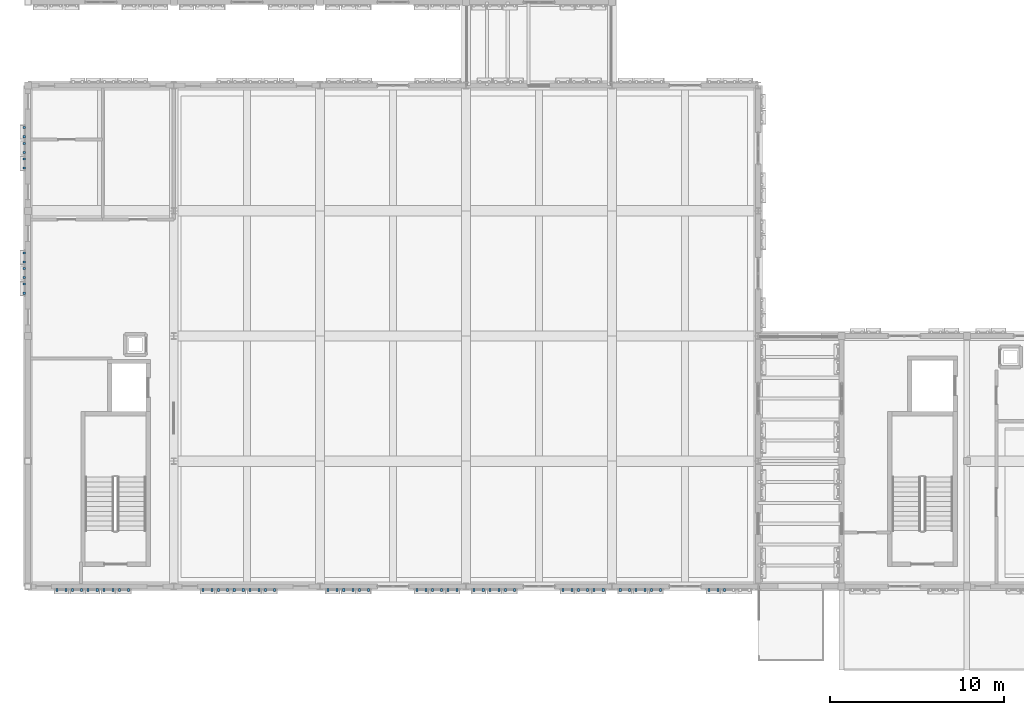
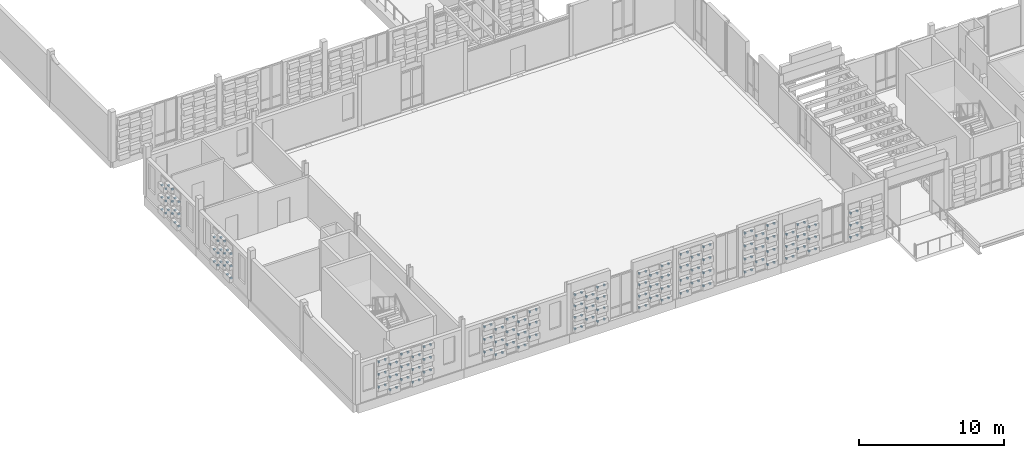
# One storey, part 78 of 99: 209 discrete accessories.
"""IFC4 building model written with IfcOpenShell, lengths in metres."""

from ifc_helpers import new_model, si_unit, direction, frame, origin, origin_2d, place, context, subcontext, project, spatial, rectangle, extrude, material, type_object, element, save


model = new_model("IFC4")

# Units and contexts
model_context = context("Model", 3, precision=1e-05, world=origin(), true_north=direction((0.0, 1.0)))
body_context = subcontext(model_context, "Body", "Model", "MODEL_VIEW")
ifc_project = project(units=[si_unit("LENGTHUNIT", "METRE"), si_unit("AREAUNIT", "SQUARE_METRE"), si_unit("VOLUMEUNIT", "CUBIC_METRE"), si_unit("PLANEANGLEUNIT", "RADIAN"), si_unit("MASSUNIT", "GRAM", prefix="KILO")], contexts=[model_context])

# Site, building, storey
site_placement = place(None, origin())
site = spatial("IfcSite", under=ifc_project, at=site_placement, CompositionType="ELEMENT")
building_placement = place(site_placement, origin())
building = spatial("IfcBuilding", under=site, at=building_placement, Name="Kahlenmark Community Centre", CompositionType="ELEMENT")
storey_placement = place(building_placement, frame((0.0, 0.0, 5.39990234375)))
storey = spatial("IfcBuildingStorey", under=building, at=storey_placement, Name="L01", CompositionType="ELEMENT", Elevation=5.39990234375)

# Discrete accessories
ifc_material = material(Name="Stainless steel 1.4401 rainscreen bracket", Category="steel")
discrete_accessory_type = type_object("IfcDiscreteAccessoryType", Name="DAT-BRACKET-TC", PredefinedType="BRACKET", material=ifc_material)
for number, where, z_axis, x_axis, name in (
    (1, (5.669921875, 8.590087890625, 0.818115234375), (0.0, 0.0, 1.0), (1.0, 0.0, 0.0), "Terracotta cassette bracket 0002.1"),
    (2, (6.18994140625, 8.590087890625, 0.818115234375), (0.0, 0.0, 1.0), (1.0, 0.0, 0.0), "Terracotta cassette bracket 0002.2"),
    (3, (5.669921875, 8.590087890625, 1.882080078125), (0.0, 0.0, 1.0), (1.0, 0.0, 0.0), "Terracotta cassette bracket 0004.1"),
    (4, (6.18994140625, 8.590087890625, 1.882080078125), (0.0, 0.0, 1.0), (1.0, 0.0, 0.0), "Terracotta cassette bracket 0004.2"),
    (5, (5.669921875, 8.590087890625, 2.946044921875), (0.0, 0.0, 1.0), (1.0, 0.0, 0.0), "Terracotta cassette bracket 0006.1"),
    (6, (6.18994140625, 8.590087890625, 2.946044921875), (0.0, 0.0, 1.0), (1.0, 0.0, 0.0), "Terracotta cassette bracket 0006.2"),
    (7, (6.570068359375, 8.590087890625, 0.2861328125), (0.0, 0.0, 1.0), (1.0, 0.0, 0.0), "Terracotta cassette bracket 0007.1"),
    (8, (7.090087890625, 8.590087890625, 0.2861328125), (0.0, 0.0, 1.0), (1.0, 0.0, 0.0), "Terracotta cassette bracket 0007.2"),
    (9, (6.570068359375, 8.590087890625, 1.35009765625), (0.0, 0.0, 1.0), (1.0, 0.0, 0.0), "Terracotta cassette bracket 0009.1"),
    (10, (7.090087890625, 8.590087890625, 1.35009765625), (0.0, 0.0, 1.0), (1.0, 0.0, 0.0), "Terracotta cassette bracket 0009.2"),
    (11, (6.570068359375, 8.590087890625, 2.4140625), (0.0, 0.0, 1.0), (1.0, 0.0, 0.0), "Terracotta cassette bracket 0011.1"),
    (12, (7.090087890625, 8.590087890625, 2.4140625), (0.0, 0.0, 1.0), (1.0, 0.0, 0.0), "Terracotta cassette bracket 0011.2"),
    (13, (7.469970703125, 8.590087890625, 0.818115234375), (0.0, 0.0, 1.0), (1.0, 0.0, 0.0), "Terracotta cassette bracket 0014.1"),
    (14, (7.989990234375, 8.590087890625, 0.818115234375), (0.0, 0.0, 1.0), (1.0, 0.0, 0.0), "Terracotta cassette bracket 0014.2"),
    (15, (7.469970703125, 8.590087890625, 1.882080078125), (0.0, 0.0, 1.0), (1.0, 0.0, 0.0), "Terracotta cassette bracket 0016.1"),
    (16, (7.989990234375, 8.590087890625, 1.882080078125), (0.0, 0.0, 1.0), (1.0, 0.0, 0.0), "Terracotta cassette bracket 0016.2"),
    (17, (7.469970703125, 8.590087890625, 2.946044921875), (0.0, 0.0, 1.0), (1.0, 0.0, 0.0), "Terracotta cassette bracket 0018.1"),
    (18, (7.989990234375, 8.590087890625, 2.946044921875), (0.0, 0.0, 1.0), (1.0, 0.0, 0.0), "Terracotta cassette bracket 0018.2"),
    (19, (8.3701171875, 8.590087890625, 0.2861328125), (0.0, 0.0, 1.0), (1.0, 0.0, 0.0), "Terracotta cassette bracket 0019.1"),
    (20, (8.889892578125, 8.590087890625, 0.2861328125), (0.0, 0.0, 1.0), (1.0, 0.0, 0.0), "Terracotta cassette bracket 0019.2"),
    (21, (8.3701171875, 8.590087890625, 1.35009765625), (0.0, 0.0, 1.0), (1.0, 0.0, 0.0), "Terracotta cassette bracket 0021.1"),
    (22, (8.889892578125, 8.590087890625, 1.35009765625), (0.0, 0.0, 1.0), (1.0, 0.0, 0.0), "Terracotta cassette bracket 0021.2"),
    (23, (8.3701171875, 8.590087890625, 2.4140625), (0.0, 0.0, 1.0), (1.0, 0.0, 0.0), "Terracotta cassette bracket 0023.1"),
    (24, (8.889892578125, 8.590087890625, 2.4140625), (0.0, 0.0, 1.0), (1.0, 0.0, 0.0), "Terracotta cassette bracket 0023.2"),
    (25, (9.27001953125, 8.590087890625, 0.818115234375), (0.0, 0.0, 1.0), (1.0, 0.0, 0.0), "Terracotta cassette bracket 0026.1"),
    (26, (9.7900390625, 8.590087890625, 0.818115234375), (0.0, 0.0, 1.0), (1.0, 0.0, 0.0), "Terracotta cassette bracket 0026.2"),
    (27, (9.27001953125, 8.590087890625, 1.882080078125), (0.0, 0.0, 1.0), (1.0, 0.0, 0.0), "Terracotta cassette bracket 0028.1"),
    (28, (9.7900390625, 8.590087890625, 1.882080078125), (0.0, 0.0, 1.0), (1.0, 0.0, 0.0), "Terracotta cassette bracket 0028.2"),
    (29, (9.27001953125, 8.590087890625, 2.946044921875), (0.0, 0.0, 1.0), (1.0, 0.0, 0.0), "Terracotta cassette bracket 0030.1"),
    (30, (9.7900390625, 8.590087890625, 2.946044921875), (0.0, 0.0, 1.0), (1.0, 0.0, 0.0), "Terracotta cassette bracket 0030.2"),
    (31, (14.070068359375, 8.590087890625, 0.818115234375), (0.0, 0.0, 1.0), (1.0, 0.0, 0.0), "Terracotta cassette bracket 0032.1"),
    (32, (14.590087890625, 8.590087890625, 0.818115234375), (0.0, 0.0, 1.0), (1.0, 0.0, 0.0), "Terracotta cassette bracket 0032.2"),
    (33, (14.070068359375, 8.590087890625, 1.882080078125), (0.0, 0.0, 1.0), (1.0, 0.0, 0.0), "Terracotta cassette bracket 0034.1"),
    (34, (14.590087890625, 8.590087890625, 1.882080078125), (0.0, 0.0, 1.0), (1.0, 0.0, 0.0), "Terracotta cassette bracket 0034.2"),
    (35, (14.070068359375, 8.590087890625, 2.946044921875), (0.0, 0.0, 1.0), (1.0, 0.0, 0.0), "Terracotta cassette bracket 0036.1"),
    (36, (14.590087890625, 8.590087890625, 2.946044921875), (0.0, 0.0, 1.0), (1.0, 0.0, 0.0), "Terracotta cassette bracket 0036.2"),
    (37, (14.969970703125, 8.590087890625, 0.2861328125), (0.0, 0.0, 1.0), (1.0, 0.0, 0.0), "Terracotta cassette bracket 0037.1"),
    (38, (15.489990234375, 8.590087890625, 0.2861328125), (0.0, 0.0, 1.0), (1.0, 0.0, 0.0), "Terracotta cassette bracket 0037.2"),
    (39, (14.969970703125, 8.590087890625, 1.35009765625), (0.0, 0.0, 1.0), (1.0, 0.0, 0.0), "Terracotta cassette bracket 0039.1"),
    (40, (15.489990234375, 8.590087890625, 1.35009765625), (0.0, 0.0, 1.0), (1.0, 0.0, 0.0), "Terracotta cassette bracket 0039.2"),
    (41, (14.969970703125, 8.590087890625, 2.4140625), (0.0, 0.0, 1.0), (1.0, 0.0, 0.0), "Terracotta cassette bracket 0041.1"),
    (42, (15.489990234375, 8.590087890625, 2.4140625), (0.0, 0.0, 1.0), (1.0, 0.0, 0.0), "Terracotta cassette bracket 0041.2"),
    (43, (15.8701171875, 8.590087890625, 0.818115234375), (0.0, 0.0, 1.0), (1.0, 0.0, 0.0), "Terracotta cassette bracket 0044.1"),
    (44, (16.389892578125, 8.590087890625, 0.818115234375), (0.0, 0.0, 1.0), (1.0, 0.0, 0.0), "Terracotta cassette bracket 0044.2"),
    (45, (15.8701171875, 8.590087890625, 1.882080078125), (0.0, 0.0, 1.0), (1.0, 0.0, 0.0), "Terracotta cassette bracket 0046.1"),
    (46, (16.389892578125, 8.590087890625, 1.882080078125), (0.0, 0.0, 1.0), (1.0, 0.0, 0.0), "Terracotta cassette bracket 0046.2"),
    (47, (15.8701171875, 8.590087890625, 2.946044921875), (0.0, 0.0, 1.0), (1.0, 0.0, 0.0), "Terracotta cassette bracket 0048.1"),
    (48, (16.389892578125, 8.590087890625, 2.946044921875), (0.0, 0.0, 1.0), (1.0, 0.0, 0.0), "Terracotta cassette bracket 0048.2"),
    (49, (16.77001953125, 8.590087890625, 0.2861328125), (0.0, 0.0, 1.0), (1.0, 0.0, 0.0), "Terracotta cassette bracket 0049.1"),
    (50, (17.2900390625, 8.590087890625, 0.2861328125), (0.0, 0.0, 1.0), (1.0, 0.0, 0.0), "Terracotta cassette bracket 0049.2"),
    (51, (16.77001953125, 8.590087890625, 1.35009765625), (0.0, 0.0, 1.0), (1.0, 0.0, 0.0), "Terracotta cassette bracket 0051.1"),
    (52, (17.2900390625, 8.590087890625, 1.35009765625), (0.0, 0.0, 1.0), (1.0, 0.0, 0.0), "Terracotta cassette bracket 0051.2"),
    (53, (16.77001953125, 8.590087890625, 2.4140625), (0.0, 0.0, 1.0), (1.0, 0.0, 0.0), "Terracotta cassette bracket 0053.1"),
    (54, (17.2900390625, 8.590087890625, 2.4140625), (0.0, 0.0, 1.0), (1.0, 0.0, 0.0), "Terracotta cassette bracket 0053.2"),
    (55, (17.669921875, 8.590087890625, 0.818115234375), (0.0, 0.0, 1.0), (1.0, 0.0, 0.0), "Terracotta cassette bracket 0056.1"),
    (56, (18.18994140625, 8.590087890625, 0.818115234375), (0.0, 0.0, 1.0), (1.0, 0.0, 0.0), "Terracotta cassette bracket 0056.2"),
    (57, (17.669921875, 8.590087890625, 1.882080078125), (0.0, 0.0, 1.0), (1.0, 0.0, 0.0), "Terracotta cassette bracket 0058.1"),
    (58, (18.18994140625, 8.590087890625, 1.882080078125), (0.0, 0.0, 1.0), (1.0, 0.0, 0.0), "Terracotta cassette bracket 0058.2"),
    (59, (17.669921875, 8.590087890625, 2.946044921875), (0.0, 0.0, 1.0), (1.0, 0.0, 0.0), "Terracotta cassette bracket 0060.1"),
    (60, (18.18994140625, 8.590087890625, 2.946044921875), (0.0, 0.0, 1.0), (1.0, 0.0, 0.0), "Terracotta cassette bracket 0060.2"),
    (61, (21.27001953125, 8.590087890625, 0.258544921875), (0.0, 0.0, 1.0), (1.0, 0.0, 0.0), "Terracotta cassette bracket 0061.1"),
    (62, (21.7900390625, 8.590087890625, 0.258544921875), (0.0, 0.0, 1.0), (1.0, 0.0, 0.0), "Terracotta cassette bracket 0061.2"),
    (63, (21.27001953125, 8.590087890625, 1.212646484375), (0.0, 0.0, 1.0), (1.0, 0.0, 0.0), "Terracotta cassette bracket 0063.1"),
    (64, (21.7900390625, 8.590087890625, 1.212646484375), (0.0, 0.0, 1.0), (1.0, 0.0, 0.0), "Terracotta cassette bracket 0063.2"),
    (65, (21.27001953125, 8.590087890625, 2.16650390625), (0.0, 0.0, 1.0), (1.0, 0.0, 0.0), "Terracotta cassette bracket 0065.1"),
    (66, (21.7900390625, 8.590087890625, 2.16650390625), (0.0, 0.0, 1.0), (1.0, 0.0, 0.0), "Terracotta cassette bracket 0065.2"),
    (67, (21.27001953125, 8.590087890625, 3.12060546875), (0.0, 0.0, 1.0), (1.0, 0.0, 0.0), "Terracotta cassette bracket 0067.1"),
    (68, (21.7900390625, 8.590087890625, 3.12060546875), (0.0, 0.0, 1.0), (1.0, 0.0, 0.0), "Terracotta cassette bracket 0067.2"),
    (69, (22.169921875, 8.590087890625, 0.735595703125), (0.0, 0.0, 1.0), (1.0, 0.0, 0.0), "Terracotta cassette bracket 0069.1"),
    (70, (22.68994140625, 8.590087890625, 0.735595703125), (0.0, 0.0, 1.0), (1.0, 0.0, 0.0), "Terracotta cassette bracket 0069.2"),
    (71, (22.169921875, 8.590087890625, 1.689453125), (0.0, 0.0, 1.0), (1.0, 0.0, 0.0), "Terracotta cassette bracket 0071.1"),
    (72, (22.68994140625, 8.590087890625, 1.689453125), (0.0, 0.0, 1.0), (1.0, 0.0, 0.0), "Terracotta cassette bracket 0071.2"),
    (73, (22.169921875, 8.590087890625, 2.6435546875), (0.0, 0.0, 1.0), (1.0, 0.0, 0.0), "Terracotta cassette bracket 0073.1"),
    (74, (22.68994140625, 8.590087890625, 2.6435546875), (0.0, 0.0, 1.0), (1.0, 0.0, 0.0), "Terracotta cassette bracket 0073.2"),
    (75, (23.070068359375, 8.590087890625, 0.258544921875), (0.0, 0.0, 1.0), (1.0, 0.0, 0.0), "Terracotta cassette bracket 0075.1"),
    (76, (23.590087890625, 8.590087890625, 0.258544921875), (0.0, 0.0, 1.0), (1.0, 0.0, 0.0), "Terracotta cassette bracket 0075.2"),
    (77, (23.070068359375, 8.590087890625, 1.212646484375), (0.0, 0.0, 1.0), (1.0, 0.0, 0.0), "Terracotta cassette bracket 0077.1"),
    (78, (23.590087890625, 8.590087890625, 1.212646484375), (0.0, 0.0, 1.0), (1.0, 0.0, 0.0), "Terracotta cassette bracket 0077.2"),
    (79, (23.070068359375, 8.590087890625, 2.16650390625), (0.0, 0.0, 1.0), (1.0, 0.0, 0.0), "Terracotta cassette bracket 0079.1"),
    (80, (23.590087890625, 8.590087890625, 2.16650390625), (0.0, 0.0, 1.0), (1.0, 0.0, 0.0), "Terracotta cassette bracket 0079.2"),
    (81, (23.070068359375, 8.590087890625, 3.12060546875), (0.0, 0.0, 1.0), (1.0, 0.0, 0.0), "Terracotta cassette bracket 0081.1"),
    (82, (23.590087890625, 8.590087890625, 3.12060546875), (0.0, 0.0, 1.0), (1.0, 0.0, 0.0), "Terracotta cassette bracket 0081.2"),
    (83, (26.3701171875, 8.590087890625, 0.258544921875), (0.0, 0.0, 1.0), (1.0, 0.0, 0.0), "Terracotta cassette bracket 0082.1"),
    (84, (26.889892578125, 8.590087890625, 0.258544921875), (0.0, 0.0, 1.0), (1.0, 0.0, 0.0), "Terracotta cassette bracket 0082.2"),
    (85, (26.3701171875, 8.590087890625, 1.212646484375), (0.0, 0.0, 1.0), (1.0, 0.0, 0.0), "Terracotta cassette bracket 0084.1"),
    (86, (26.889892578125, 8.590087890625, 1.212646484375), (0.0, 0.0, 1.0), (1.0, 0.0, 0.0), "Terracotta cassette bracket 0084.2"),
    (87, (26.3701171875, 8.590087890625, 2.16650390625), (0.0, 0.0, 1.0), (1.0, 0.0, 0.0), "Terracotta cassette bracket 0086.1"),
    (88, (26.889892578125, 8.590087890625, 2.16650390625), (0.0, 0.0, 1.0), (1.0, 0.0, 0.0), "Terracotta cassette bracket 0086.2"),
    (89, (26.3701171875, 8.590087890625, 3.12060546875), (0.0, 0.0, 1.0), (1.0, 0.0, 0.0), "Terracotta cassette bracket 0088.1"),
    (90, (26.889892578125, 8.590087890625, 3.12060546875), (0.0, 0.0, 1.0), (1.0, 0.0, 0.0), "Terracotta cassette bracket 0088.2"),
    (91, (27.27001953125, 8.590087890625, 0.735595703125), (0.0, 0.0, 1.0), (1.0, 0.0, 0.0), "Terracotta cassette bracket 0090.1"),
    (92, (27.7900390625, 8.590087890625, 0.735595703125), (0.0, 0.0, 1.0), (1.0, 0.0, 0.0), "Terracotta cassette bracket 0090.2"),
    (93, (27.27001953125, 8.590087890625, 1.689453125), (0.0, 0.0, 1.0), (1.0, 0.0, 0.0), "Terracotta cassette bracket 0092.1"),
    (94, (27.7900390625, 8.590087890625, 1.689453125), (0.0, 0.0, 1.0), (1.0, 0.0, 0.0), "Terracotta cassette bracket 0092.2"),
    (95, (27.27001953125, 8.590087890625, 2.6435546875), (0.0, 0.0, 1.0), (1.0, 0.0, 0.0), "Terracotta cassette bracket 0094.1"),
    (96, (27.7900390625, 8.590087890625, 2.6435546875), (0.0, 0.0, 1.0), (1.0, 0.0, 0.0), "Terracotta cassette bracket 0094.2"),
    (97, (28.169921875, 8.590087890625, 0.258544921875), (0.0, 0.0, 1.0), (1.0, 0.0, 0.0), "Terracotta cassette bracket 0096.1"),
    (98, (28.68994140625, 8.590087890625, 0.258544921875), (0.0, 0.0, 1.0), (1.0, 0.0, 0.0), "Terracotta cassette bracket 0096.2"),
    (99, (28.169921875, 8.590087890625, 1.212646484375), (0.0, 0.0, 1.0), (1.0, 0.0, 0.0), "Terracotta cassette bracket 0098.1"),
    (100, (28.68994140625, 8.590087890625, 1.212646484375), (0.0, 0.0, 1.0), (1.0, 0.0, 0.0), "Terracotta cassette bracket 0098.2"),
    (101, (28.169921875, 8.590087890625, 2.16650390625), (0.0, 0.0, 1.0), (1.0, 0.0, 0.0), "Terracotta cassette bracket 0100.1"),
    (102, (28.68994140625, 8.590087890625, 2.16650390625), (0.0, 0.0, 1.0), (1.0, 0.0, 0.0), "Terracotta cassette bracket 0100.2"),
    (103, (28.169921875, 8.590087890625, 3.12060546875), (0.0, 0.0, 1.0), (1.0, 0.0, 0.0), "Terracotta cassette bracket 0102.1"),
    (104, (28.68994140625, 8.590087890625, 3.12060546875), (0.0, 0.0, 1.0), (1.0, 0.0, 0.0), "Terracotta cassette bracket 0102.2"),
    (105, (29.669921875, 8.590087890625, 0.29296875), (0.0, 0.0, 1.0), (1.0, 0.0, 0.0), "Terracotta cassette bracket 0103.1"),
    (106, (30.18994140625, 8.590087890625, 0.29296875), (0.0, 0.0, 1.0), (1.0, 0.0, 0.0), "Terracotta cassette bracket 0103.2"),
    (107, (29.669921875, 8.590087890625, 1.385009765625), (0.0, 0.0, 1.0), (1.0, 0.0, 0.0), "Terracotta cassette bracket 0105.1"),
    (108, (30.18994140625, 8.590087890625, 1.385009765625), (0.0, 0.0, 1.0), (1.0, 0.0, 0.0), "Terracotta cassette bracket 0105.2"),
    (109, (29.669921875, 8.590087890625, 2.47705078125), (0.0, 0.0, 1.0), (1.0, 0.0, 0.0), "Terracotta cassette bracket 0107.1"),
    (110, (30.18994140625, 8.590087890625, 2.47705078125), (0.0, 0.0, 1.0), (1.0, 0.0, 0.0), "Terracotta cassette bracket 0107.2"),
    (111, (29.669921875, 8.590087890625, 3.569091796875), (0.0, 0.0, 1.0), (1.0, 0.0, 0.0), "Terracotta cassette bracket 0109.1"),
    (112, (30.18994140625, 8.590087890625, 3.569091796875), (0.0, 0.0, 1.0), (1.0, 0.0, 0.0), "Terracotta cassette bracket 0109.2"),
    (113, (30.570068359375, 8.590087890625, 0.839111328125), (0.0, 0.0, 1.0), (1.0, 0.0, 0.0), "Terracotta cassette bracket 0111.1"),
    (114, (31.090087890625, 8.590087890625, 0.839111328125), (0.0, 0.0, 1.0), (1.0, 0.0, 0.0), "Terracotta cassette bracket 0111.2"),
    (115, (30.570068359375, 8.590087890625, 1.93115234375), (0.0, 0.0, 1.0), (1.0, 0.0, 0.0), "Terracotta cassette bracket 0113.1"),
    (116, (31.090087890625, 8.590087890625, 1.93115234375), (0.0, 0.0, 1.0), (1.0, 0.0, 0.0), "Terracotta cassette bracket 0113.2"),
    (117, (30.570068359375, 8.590087890625, 3.02294921875), (0.0, 0.0, 1.0), (1.0, 0.0, 0.0), "Terracotta cassette bracket 0115.1"),
    (118, (31.090087890625, 8.590087890625, 3.02294921875), (0.0, 0.0, 1.0), (1.0, 0.0, 0.0), "Terracotta cassette bracket 0115.2"),
    (119, (31.469970703125, 8.590087890625, 0.29296875), (0.0, 0.0, 1.0), (1.0, 0.0, 0.0), "Terracotta cassette bracket 0117.1"),
    (120, (31.989990234375, 8.590087890625, 0.29296875), (0.0, 0.0, 1.0), (1.0, 0.0, 0.0), "Terracotta cassette bracket 0117.2"),
    (121, (31.469970703125, 8.590087890625, 1.385009765625), (0.0, 0.0, 1.0), (1.0, 0.0, 0.0), "Terracotta cassette bracket 0119.1"),
    (122, (31.989990234375, 8.590087890625, 1.385009765625), (0.0, 0.0, 1.0), (1.0, 0.0, 0.0), "Terracotta cassette bracket 0119.2"),
    (123, (31.469970703125, 8.590087890625, 2.47705078125), (0.0, 0.0, 1.0), (1.0, 0.0, 0.0), "Terracotta cassette bracket 0121.1"),
    (124, (31.989990234375, 8.590087890625, 2.47705078125), (0.0, 0.0, 1.0), (1.0, 0.0, 0.0), "Terracotta cassette bracket 0121.2"),
    (125, (31.469970703125, 8.590087890625, 3.569091796875), (0.0, 0.0, 1.0), (1.0, 0.0, 0.0), "Terracotta cassette bracket 0123.1"),
    (126, (31.989990234375, 8.590087890625, 3.569091796875), (0.0, 0.0, 1.0), (1.0, 0.0, 0.0), "Terracotta cassette bracket 0123.2"),
    (127, (34.77001953125, 8.590087890625, 0.29296875), (0.0, 0.0, 1.0), (1.0, 0.0, 0.0), "Terracotta cassette bracket 0124.1"),
    (128, (35.2900390625, 8.590087890625, 0.29296875), (0.0, 0.0, 1.0), (1.0, 0.0, 0.0), "Terracotta cassette bracket 0124.2"),
    (129, (34.77001953125, 8.590087890625, 1.385009765625), (0.0, 0.0, 1.0), (1.0, 0.0, 0.0), "Terracotta cassette bracket 0126.1"),
    (130, (35.2900390625, 8.590087890625, 1.385009765625), (0.0, 0.0, 1.0), (1.0, 0.0, 0.0), "Terracotta cassette bracket 0126.2"),
    (131, (34.77001953125, 8.590087890625, 2.47705078125), (0.0, 0.0, 1.0), (1.0, 0.0, 0.0), "Terracotta cassette bracket 0128.1"),
    (132, (35.2900390625, 8.590087890625, 2.47705078125), (0.0, 0.0, 1.0), (1.0, 0.0, 0.0), "Terracotta cassette bracket 0128.2"),
    (133, (34.77001953125, 8.590087890625, 3.569091796875), (0.0, 0.0, 1.0), (1.0, 0.0, 0.0), "Terracotta cassette bracket 0130.1"),
    (134, (35.2900390625, 8.590087890625, 3.569091796875), (0.0, 0.0, 1.0), (1.0, 0.0, 0.0), "Terracotta cassette bracket 0130.2"),
    (135, (35.669921875, 8.590087890625, 0.839111328125), (0.0, 0.0, 1.0), (1.0, 0.0, 0.0), "Terracotta cassette bracket 0132.1"),
    (136, (36.18994140625, 8.590087890625, 0.839111328125), (0.0, 0.0, 1.0), (1.0, 0.0, 0.0), "Terracotta cassette bracket 0132.2"),
    (137, (35.669921875, 8.590087890625, 1.93115234375), (0.0, 0.0, 1.0), (1.0, 0.0, 0.0), "Terracotta cassette bracket 0134.1"),
    (138, (36.18994140625, 8.590087890625, 1.93115234375), (0.0, 0.0, 1.0), (1.0, 0.0, 0.0), "Terracotta cassette bracket 0134.2"),
    (139, (35.669921875, 8.590087890625, 3.02294921875), (0.0, 0.0, 1.0), (1.0, 0.0, 0.0), "Terracotta cassette bracket 0136.1"),
    (140, (36.18994140625, 8.590087890625, 3.02294921875), (0.0, 0.0, 1.0), (1.0, 0.0, 0.0), "Terracotta cassette bracket 0136.2"),
    (141, (36.570068359375, 8.590087890625, 0.29296875), (0.0, 0.0, 1.0), (1.0, 0.0, 0.0), "Terracotta cassette bracket 0138.1"),
    (142, (37.090087890625, 8.590087890625, 0.29296875), (0.0, 0.0, 1.0), (1.0, 0.0, 0.0), "Terracotta cassette bracket 0138.2"),
    (143, (36.570068359375, 8.590087890625, 1.385009765625), (0.0, 0.0, 1.0), (1.0, 0.0, 0.0), "Terracotta cassette bracket 0140.1"),
    (144, (37.090087890625, 8.590087890625, 1.385009765625), (0.0, 0.0, 1.0), (1.0, 0.0, 0.0), "Terracotta cassette bracket 0140.2"),
    (145, (36.570068359375, 8.590087890625, 2.47705078125), (0.0, 0.0, 1.0), (1.0, 0.0, 0.0), "Terracotta cassette bracket 0142.1"),
    (146, (37.090087890625, 8.590087890625, 2.47705078125), (0.0, 0.0, 1.0), (1.0, 0.0, 0.0), "Terracotta cassette bracket 0142.2"),
    (147, (36.570068359375, 8.590087890625, 3.569091796875), (0.0, 0.0, 1.0), (1.0, 0.0, 0.0), "Terracotta cassette bracket 0144.1"),
    (148, (37.090087890625, 8.590087890625, 3.569091796875), (0.0, 0.0, 1.0), (1.0, 0.0, 0.0), "Terracotta cassette bracket 0144.2"),
    (149, (38.070068359375, 8.590087890625, 0.27392578125), (0.0, 0.0, 1.0), (1.0, 0.0, 0.0), "Terracotta cassette bracket 0145.1"),
    (150, (38.590087890625, 8.590087890625, 0.27392578125), (0.0, 0.0, 1.0), (1.0, 0.0, 0.0), "Terracotta cassette bracket 0145.2"),
    (151, (38.070068359375, 8.590087890625, 1.2900390625), (0.0, 0.0, 1.0), (1.0, 0.0, 0.0), "Terracotta cassette bracket 0147.1"),
    (152, (38.590087890625, 8.590087890625, 1.2900390625), (0.0, 0.0, 1.0), (1.0, 0.0, 0.0), "Terracotta cassette bracket 0147.2"),
    (153, (38.070068359375, 8.590087890625, 2.30615234375), (0.0, 0.0, 1.0), (1.0, 0.0, 0.0), "Terracotta cassette bracket 0149.1"),
    (154, (38.590087890625, 8.590087890625, 2.30615234375), (0.0, 0.0, 1.0), (1.0, 0.0, 0.0), "Terracotta cassette bracket 0149.2"),
    (155, (38.969970703125, 8.590087890625, 0.781982421875), (0.0, 0.0, 1.0), (1.0, 0.0, 0.0), "Terracotta cassette bracket 0152.1"),
    (156, (39.489990234375, 8.590087890625, 0.781982421875), (0.0, 0.0, 1.0), (1.0, 0.0, 0.0), "Terracotta cassette bracket 0152.2"),
    (157, (38.969970703125, 8.590087890625, 1.798095703125), (0.0, 0.0, 1.0), (1.0, 0.0, 0.0), "Terracotta cassette bracket 0154.1"),
    (158, (39.489990234375, 8.590087890625, 1.798095703125), (0.0, 0.0, 1.0), (1.0, 0.0, 0.0), "Terracotta cassette bracket 0154.2"),
    (159, (38.969970703125, 8.590087890625, 2.81396484375), (0.0, 0.0, 1.0), (1.0, 0.0, 0.0), "Terracotta cassette bracket 0156.1"),
    (160, (39.489990234375, 8.590087890625, 2.81396484375), (0.0, 0.0, 1.0), (1.0, 0.0, 0.0), "Terracotta cassette bracket 0156.2"),
    (161, (39.8701171875, 8.590087890625, 0.27392578125), (0.0, 0.0, 1.0), (1.0, 0.0, 0.0), "Terracotta cassette bracket 0157.1"),
    (162, (40.389892578125, 8.590087890625, 0.27392578125), (0.0, 0.0, 1.0), (1.0, 0.0, 0.0), "Terracotta cassette bracket 0157.2"),
    (163, (39.8701171875, 8.590087890625, 1.2900390625), (0.0, 0.0, 1.0), (1.0, 0.0, 0.0), "Terracotta cassette bracket 0159.1"),
    (164, (40.389892578125, 8.590087890625, 1.2900390625), (0.0, 0.0, 1.0), (1.0, 0.0, 0.0), "Terracotta cassette bracket 0159.2"),
    (165, (39.8701171875, 8.590087890625, 2.30615234375), (0.0, 0.0, 1.0), (1.0, 0.0, 0.0), "Terracotta cassette bracket 0161.1"),
    (166, (40.389892578125, 8.590087890625, 2.30615234375), (0.0, 0.0, 1.0), (1.0, 0.0, 0.0), "Terracotta cassette bracket 0161.2"),
    (167, (43.169921875, 8.590087890625, 0.27392578125), (0.0, 0.0, 1.0), (1.0, 0.0, 0.0), "Terracotta cassette bracket 0163.1"),
    (168, (43.68994140625, 8.590087890625, 0.27392578125), (0.0, 0.0, 1.0), (1.0, 0.0, 0.0), "Terracotta cassette bracket 0163.2"),
    (169, (43.169921875, 8.590087890625, 1.2900390625), (0.0, 0.0, 1.0), (1.0, 0.0, 0.0), "Terracotta cassette bracket 0165.1"),
    (170, (43.68994140625, 8.590087890625, 1.2900390625), (0.0, 0.0, 1.0), (1.0, 0.0, 0.0), "Terracotta cassette bracket 0165.2"),
    (171, (43.169921875, 8.590087890625, 2.30615234375), (0.0, 0.0, 1.0), (1.0, 0.0, 0.0), "Terracotta cassette bracket 0167.1"),
    (172, (43.68994140625, 8.590087890625, 2.30615234375), (0.0, 0.0, 1.0), (1.0, 0.0, 0.0), "Terracotta cassette bracket 0167.2"),
    (173, (44.070068359375, 8.590087890625, 0.781982421875), (0.0, 0.0, 1.0), (1.0, 0.0, 0.0), "Terracotta cassette bracket 0170.1"),
    (174, (3.7900390625, 27.97998046875, 0.276123046875), (0.0, 0.0, 1.0), (0.0, -1.0, 0.0), "Terracotta cassette bracket 0349.1"),
    (175, (3.7900390625, 27.4599609375, 0.276123046875), (0.0, 0.0, 1.0), (0.0, -1.0, 0.0), "Terracotta cassette bracket 0349.2"),
    (176, (3.7900390625, 27.97998046875, 1.300048828125), (0.0, 0.0, 1.0), (0.0, -1.0, 0.0), "Terracotta cassette bracket 0351.1"),
    (177, (3.7900390625, 27.4599609375, 1.300048828125), (0.0, 0.0, 1.0), (0.0, -1.0, 0.0), "Terracotta cassette bracket 0351.2"),
    (178, (3.7900390625, 27.97998046875, 2.323974609375), (0.0, 0.0, 1.0), (0.0, -1.0, 0.0), "Terracotta cassette bracket 0353.1"),
    (179, (3.7900390625, 27.4599609375, 2.323974609375), (0.0, 0.0, 1.0), (0.0, -1.0, 0.0), "Terracotta cassette bracket 0353.2"),
    (180, (3.7900390625, 27.080078125, 0.7880859375), (0.0, 0.0, 1.0), (0.0, -1.0, 0.0), "Terracotta cassette bracket 0356.1"),
    (181, (3.7900390625, 26.56005859375, 0.7880859375), (0.0, 0.0, 1.0), (0.0, -1.0, 0.0), "Terracotta cassette bracket 0356.2"),
    (182, (3.7900390625, 27.080078125, 1.81201171875), (0.0, 0.0, 1.0), (0.0, -1.0, 0.0), "Terracotta cassette bracket 0358.1"),
    (183, (3.7900390625, 26.56005859375, 1.81201171875), (0.0, 0.0, 1.0), (0.0, -1.0, 0.0), "Terracotta cassette bracket 0358.2"),
    (184, (3.7900390625, 27.080078125, 2.8359375), (0.0, 0.0, 1.0), (0.0, -1.0, 0.0), "Terracotta cassette bracket 0360.1"),
    (185, (3.7900390625, 26.56005859375, 2.8359375), (0.0, 0.0, 1.0), (0.0, -1.0, 0.0), "Terracotta cassette bracket 0360.2"),
    (186, (3.7900390625, 26.179931640625, 0.276123046875), (0.0, 0.0, 1.0), (0.0, -1.0, 0.0), "Terracotta cassette bracket 0361.1"),
    (187, (3.7900390625, 25.659912109375, 0.276123046875), (0.0, 0.0, 1.0), (0.0, -1.0, 0.0), "Terracotta cassette bracket 0361.2"),
    (188, (3.7900390625, 26.179931640625, 1.300048828125), (0.0, 0.0, 1.0), (0.0, -1.0, 0.0), "Terracotta cassette bracket 0363.1"),
    (189, (3.7900390625, 25.659912109375, 1.300048828125), (0.0, 0.0, 1.0), (0.0, -1.0, 0.0), "Terracotta cassette bracket 0363.2"),
    (190, (3.7900390625, 26.179931640625, 2.323974609375), (0.0, 0.0, 1.0), (0.0, -1.0, 0.0), "Terracotta cassette bracket 0365.1"),
    (191, (3.7900390625, 25.659912109375, 2.323974609375), (0.0, 0.0, 1.0), (0.0, -1.0, 0.0), "Terracotta cassette bracket 0365.2"),
    (192, (3.7900390625, 35.179931640625, 0.276123046875), (0.0, 0.0, 1.0), (0.0, -1.0, 0.0), "Terracotta cassette bracket 0367.1"),
    (193, (3.7900390625, 34.659912109375, 0.276123046875), (0.0, 0.0, 1.0), (0.0, -1.0, 0.0), "Terracotta cassette bracket 0367.2"),
    (194, (3.7900390625, 35.179931640625, 1.300048828125), (0.0, 0.0, 1.0), (0.0, -1.0, 0.0), "Terracotta cassette bracket 0369.1"),
    (195, (3.7900390625, 34.659912109375, 1.300048828125), (0.0, 0.0, 1.0), (0.0, -1.0, 0.0), "Terracotta cassette bracket 0369.2"),
    (196, (3.7900390625, 35.179931640625, 2.323974609375), (0.0, 0.0, 1.0), (0.0, -1.0, 0.0), "Terracotta cassette bracket 0371.1"),
    (197, (3.7900390625, 34.659912109375, 2.323974609375), (0.0, 0.0, 1.0), (0.0, -1.0, 0.0), "Terracotta cassette bracket 0371.2"),
    (198, (3.7900390625, 34.280029296875, 0.7880859375), (0.0, 0.0, 1.0), (0.0, -1.0, 0.0), "Terracotta cassette bracket 0374.1"),
    (199, (3.7900390625, 33.760009765625, 0.7880859375), (0.0, 0.0, 1.0), (0.0, -1.0, 0.0), "Terracotta cassette bracket 0374.2"),
    (200, (3.7900390625, 34.280029296875, 1.81201171875), (0.0, 0.0, 1.0), (0.0, -1.0, 0.0), "Terracotta cassette bracket 0376.1"),
    (201, (3.7900390625, 33.760009765625, 1.81201171875), (0.0, 0.0, 1.0), (0.0, -1.0, 0.0), "Terracotta cassette bracket 0376.2"),
    (202, (3.7900390625, 34.280029296875, 2.8359375), (0.0, 0.0, 1.0), (0.0, -1.0, 0.0), "Terracotta cassette bracket 0378.1"),
    (203, (3.7900390625, 33.760009765625, 2.8359375), (0.0, 0.0, 1.0), (0.0, -1.0, 0.0), "Terracotta cassette bracket 0378.2"),
    (204, (3.7900390625, 33.3798828125, 0.276123046875), (0.0, 0.0, 1.0), (0.0, -1.0, 0.0), "Terracotta cassette bracket 0379.1"),
    (205, (3.7900390625, 32.860107421875, 0.276123046875), (0.0, 0.0, 1.0), (0.0, -1.0, 0.0), "Terracotta cassette bracket 0379.2"),
    (206, (3.7900390625, 33.3798828125, 1.300048828125), (0.0, 0.0, 1.0), (0.0, -1.0, 0.0), "Terracotta cassette bracket 0381.1"),
    (207, (3.7900390625, 32.860107421875, 1.300048828125), (0.0, 0.0, 1.0), (0.0, -1.0, 0.0), "Terracotta cassette bracket 0381.2"),
    (208, (3.7900390625, 33.3798828125, 2.323974609375), (0.0, 0.0, 1.0), (0.0, -1.0, 0.0), "Terracotta cassette bracket 0383.1"),
    (209, (3.7900390625, 32.860107421875, 2.323974609375), (0.0, 0.0, 1.0), (0.0, -1.0, 0.0), "Terracotta cassette bracket 0383.2"),
):
    element("IfcDiscreteAccessory", number, at=place(storey_placement, frame(where, z_axis=z_axis, x_axis=x_axis)), inside=storey, type_object=discrete_accessory_type, Name=name, PredefinedType="BRACKET", context=body_context, shape_type="SweptSolid", body=[
        extrude(rectangle(XDim=0.1201171875, YDim=0.159912109375, at=origin_2d()), origin(), (0.0, 0.0, 1.0), 0.1201171875),
    ])

save(model, "model.ifc")
